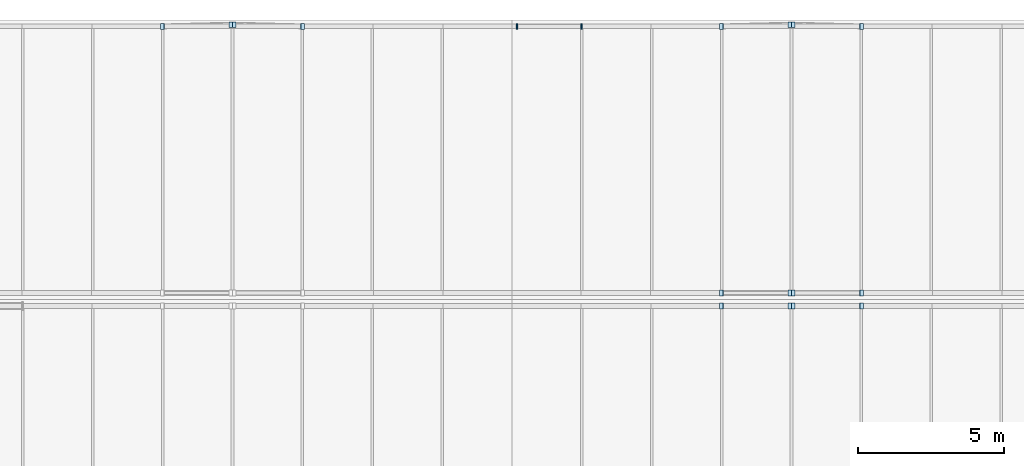
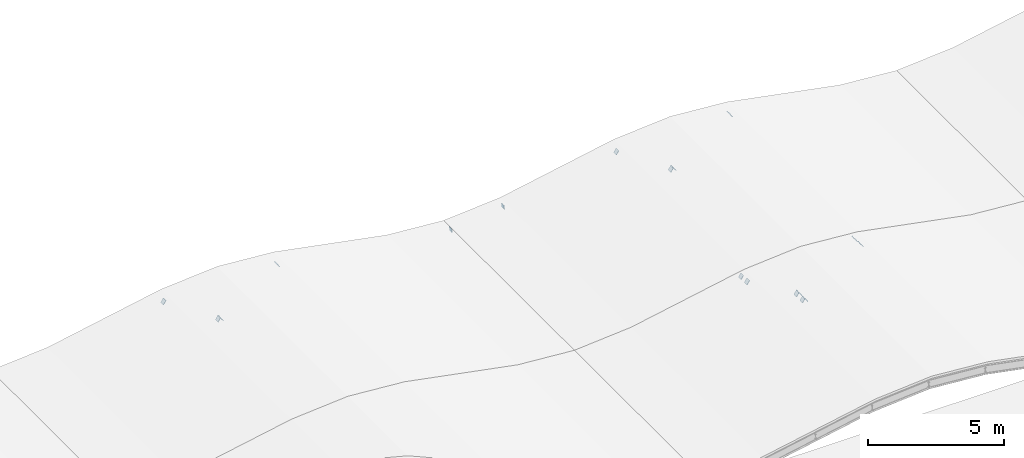
# One storey, part 147 of 170: 18 plates.
"""IFC4 building model written with IfcOpenShell, lengths in metres."""

from ifc_helpers import new_model, si_unit, direction, frame, origin, origin_2d, place, context, subcontext, project, spatial, rectangle, extrude, material, layer, layer_set, type_object, element, save


model = new_model("IFC4")

# Units and contexts
model_context = context("Model", 3, precision=1e-05, world=origin(), true_north=direction((0.0, 1.0)))
body_context = subcontext(model_context, "Body", "Model", "MODEL_VIEW")
ifc_project = project(units=[si_unit("LENGTHUNIT", "METRE"), si_unit("AREAUNIT", "SQUARE_METRE"), si_unit("VOLUMEUNIT", "CUBIC_METRE"), si_unit("PLANEANGLEUNIT", "RADIAN"), si_unit("MASSUNIT", "GRAM", prefix="KILO")], contexts=[model_context])

# Site, building, storey
site_placement = place(None, origin())
site = spatial("IfcSite", under=ifc_project, at=site_placement, CompositionType="ELEMENT")
building_placement = place(site_placement, origin())
building = spatial("IfcBuilding", under=site, at=building_placement, Name="Coralgate Yard Interchange", CompositionType="ELEMENT")
storey_placement = place(building_placement, frame((0.0, 0.0, 6.0)))
storey = spatial("IfcBuildingStorey", under=building, at=storey_placement, Name="L01", CompositionType="ELEMENT", Elevation=6.0)

# Plates
ifc_material = material(Name="Structural steel S355J2", Category="steel")
ifc_layer = layer(ifc_material, 0.01806640625)
ifc_layer_set = layer_set([ifc_layer], Name="Structural steel S355J2")
plate_type = type_object("IfcPlateType", Name="PLT-EP-18", PredefinedType="USERDEFINED", material=ifc_layer_set)
for number, where, z_axis, x_axis, name in (
    (1, (124.738525390625, 105.3798828125, -0.678955078125), (0.821435746077, 0.0, -0.570301074054), (0.0, 1.0, 0.0), "Steel hollow section end cap plate CAP-WVBR-R1-W5-N-L-0"),
    (2, (122.401611328125, 105.3798828125, 0.943359375), (-0.821435746077, 0.0, 0.570301074054), (0.0, -1.0, 0.0), "Steel hollow section end cap plate CAP-WVBR-R1-W5-N-L-1"),
    (3, (124.861572265625, 105.3798828125, -0.678955078125), (-0.821435746077, 0.0, -0.570301074054), (0.0, -1.0, 0.0), "Steel hollow section end cap plate CAP-WVBR-R1-W5-N-R-0"),
    (4, (127.198486328125, 105.3798828125, 0.943359375), (0.821435746077, 0.0, 0.570301074054), (0.0, 1.0, 0.0), "Steel hollow section end cap plate CAP-WVBR-R1-W5-N-R-1"),
    (5, (105.538330078125, 115.0400390625, -0.678955078125), (0.821435746077, 0.0, -0.570301074054), (0.0, 1.0, 0.0), "Steel hollow section end cap plate CAP-WVBR-R2-W4-N-L-0"),
    (6, (103.20166015625, 114.97998046875, 0.943359375), (-0.821435746077, 0.0, 0.570301074054), (0.0, -1.0, 0.0), "Steel hollow section end cap plate CAP-WVBR-R2-W4-N-L-1"),
    (7, (105.66162109375, 115.0400390625, -0.678955078125), (-0.821435746077, 0.0, -0.570301074054), (0.0, -1.0, 0.0), "Steel hollow section end cap plate CAP-WVBR-R2-W4-N-R-0"),
    (8, (107.99853515625, 114.97998046875, 0.943359375), (0.821435746077, 0.0, 0.570301074054), (0.0, 1.0, 0.0), "Steel hollow section end cap plate CAP-WVBR-R2-W4-N-R-1"),
    (9, (124.73828125, 105.820068359375, -0.6787109375), (0.827189409026, 0.0, -0.561923199018), (0.0, 1.0, 0.0), "Steel hollow section end cap plate CAP-WVBR-R2-W5-S-L-0"),
    (10, (122.40185546875, 105.820068359375, 0.908447265625), (-0.827189409026, 0.0, 0.561923199018), (0.0, -1.0, 0.0), "Steel hollow section end cap plate CAP-WVBR-R2-W5-S-L-1"),
    (11, (124.86181640625, 105.820068359375, -0.6787109375), (-0.827189409026, 0.0, -0.561923199018), (0.0, -1.0, 0.0), "Steel hollow section end cap plate CAP-WVBR-R2-W5-S-R-0"),
    (12, (127.1982421875, 105.820068359375, 0.908447265625), (0.827189409026, 0.0, 0.561923199018), (0.0, 1.0, 0.0), "Steel hollow section end cap plate CAP-WVBR-R2-W5-S-R-1"),
    (13, (124.738525390625, 115.0400390625, -0.678955078125), (0.821435746077, 0.0, -0.570301074054), (0.0, 1.0, 0.0), "Steel hollow section end cap plate CAP-WVBR-R2-W5-N-L-0"),
    (14, (122.401611328125, 114.97998046875, 0.943359375), (-0.821435746077, 0.0, 0.570301074054), (0.0, -1.0, 0.0), "Steel hollow section end cap plate CAP-WVBR-R2-W5-N-L-1"),
    (15, (124.861572265625, 115.0400390625, -0.678955078125), (-0.821435746077, 0.0, -0.570301074054), (0.0, -1.0, 0.0), "Steel hollow section end cap plate CAP-WVBR-R2-W5-N-R-0"),
    (16, (127.198486328125, 114.97998046875, 0.943359375), (0.821435746077, 0.0, 0.570301074054), (0.0, 1.0, 0.0), "Steel hollow section end cap plate CAP-WVBR-R2-W5-N-R-1"),
):
    element("IfcPlate", number, at=place(storey_placement, frame(where, z_axis=z_axis, x_axis=x_axis)), inside=storey, type_object=plate_type, Name=name, ObjectType="CAP PLATE", PredefinedType="USERDEFINED", context=body_context, shape_type="SweptSolid", body=[
        extrude(rectangle(XDim=0.197998046875, YDim=0.197998046875, at=origin_2d()), origin(), (0.0, 0.0, 1.0), 0.01806640625),
    ])
for number, where, z_axis, x_axis, name in (
    (17, (115.382080078125, 114.97998046875, -0.079833984375), (-0.993088841046, 0.0, -0.117365045005), (0.0, -1.0, 0.0), "Steel hollow section end cap plate CAP-WSUB-05-0"),
    (18, (117.577880859375, 114.97998046875, 0.179931640625), (0.993088841046, 0.0, 0.117365045005), (0.0, 1.0, 0.0), "Steel hollow section end cap plate CAP-WSUB-05-1"),
):
    element("IfcPlate", number, at=place(storey_placement, frame(where, z_axis=z_axis, x_axis=x_axis)), inside=storey, type_object=plate_type, Name=name, ObjectType="CAP PLATE", PredefinedType="USERDEFINED", context=body_context, shape_type="SweptSolid", body=[
        extrude(rectangle(XDim=0.179931640625, YDim=0.179931640625, at=origin_2d()), origin(), (0.0, 0.0, 1.0), 0.01806640625),
    ])

save(model, "model.ifc")
